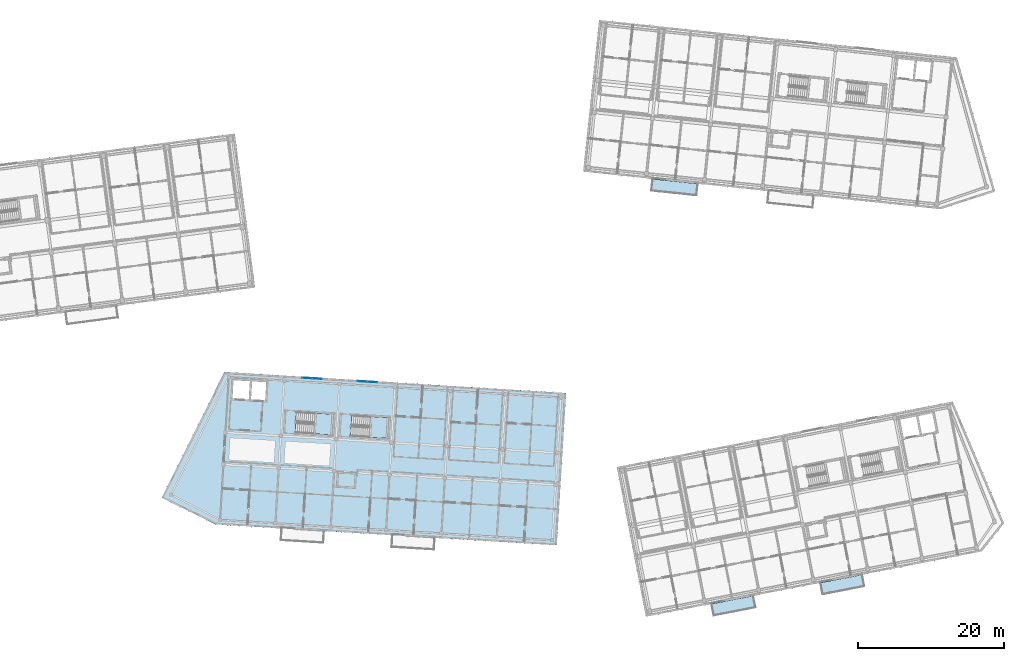
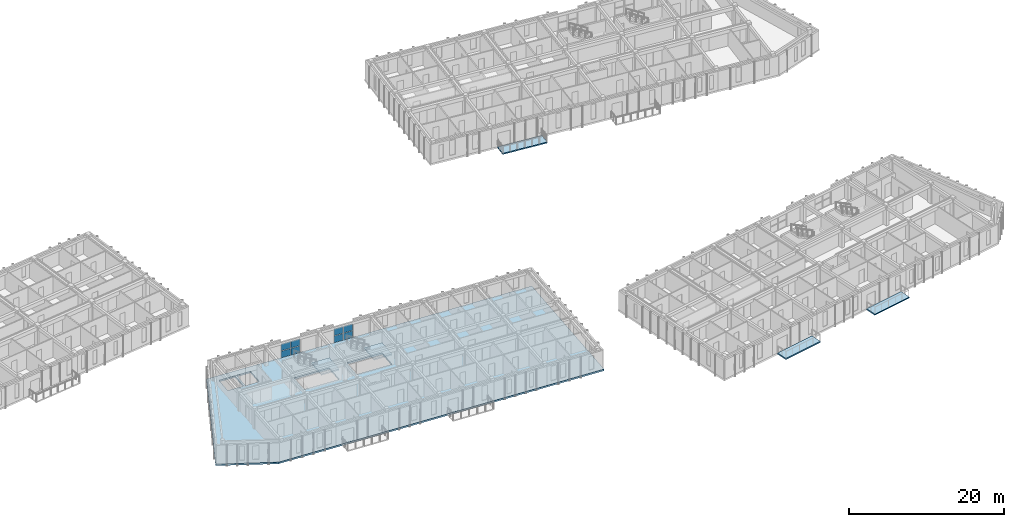
# One storey, part 18 of 68: 8 plates, 6 slabs, 4 elements without a shape of their own.
"""IFC4 building model written with IfcOpenShell, lengths in metres."""

from ifc_helpers import new_model, si_unit, direction, frame, origin, origin_2d, place, context, subcontext, project, spatial, polyline, rectangle, outline, extrude, material, layer, layer_set, type_object, element, aggregate, save


model = new_model("IFC4")

# Units and contexts
model_context = context("Model", 3, precision=1e-05, world=origin(), true_north=direction((0.0, 1.0)))
body_context = subcontext(model_context, "Body", "Model", "MODEL_VIEW")
ifc_project = project(units=[si_unit("LENGTHUNIT", "METRE"), si_unit("AREAUNIT", "SQUARE_METRE"), si_unit("VOLUMEUNIT", "CUBIC_METRE"), si_unit("PLANEANGLEUNIT", "RADIAN"), si_unit("MASSUNIT", "GRAM", prefix="KILO")], contexts=[model_context])

# Site, building, storey
site_placement = place(None, origin())
site = spatial("IfcSite", under=ifc_project, at=site_placement, CompositionType="ELEMENT")
building_placement = place(site_placement, origin())
building = spatial("IfcBuilding", under=site, at=building_placement, Name="Kestramere Prow Commons", CompositionType="ELEMENT")
storey_placement = place(building_placement, frame((0.0, 0.0, 18.14990234375)))
storey = spatial("IfcBuildingStorey", under=building, at=storey_placement, Name="L05", CompositionType="ELEMENT", Elevation=18.14990234375)

# Curtain wall, plates
ifc_material_1 = material(Name="Anodised Aluminium and Low-E Glass", Category="aluminium")
curtain_wall_type = type_object("IfcCurtainWallType", Name="CW-03 Glazed Curtain Wall 2830x2320", PredefinedType="USERDEFINED", material=ifc_material_1)
curtain_wall_1_placement = place(storey_placement, origin())
curtain_wall_1 = element("IfcCurtainWall", 1, at=curtain_wall_1_placement, inside=storey, type_object=curtain_wall_type, Name="Block C L05 Stairwell Vertical Glazing 2", ObjectType="GLAZED CURTAIN WALL", PredefinedType="USERDEFINED")
ifc_material_2 = material(Name="Low-E Laminated Double Glazing", Category="glass")
ifc_layer_1 = layer(ifc_material_2, 0.028076171875)
ifc_layer_set_1 = layer_set([ifc_layer_1], Name="Low-E Laminated Double Glazing")
plate_type = type_object("IfcPlateType", Name="CW-PNL-28", PredefinedType="CURTAIN_PANEL", material=ifc_layer_set_1)
plate_1_placement = place(storey_placement, frame((71.41748046875, 65.93359375, 0.065185546875), z_axis=(0.0, 0.0, 1.0), x_axis=(0.99813480569, -0.061048420708, 0.0)))
plate_1 = element("IfcPlate", 2, at=plate_1_placement, type_object=plate_type, Name="CW-03 panel 1.1", PredefinedType="CURTAIN_PANEL", context=body_context, shape_type="SweptSolid", body=[
    extrude(rectangle(XDim=1.3173828125, YDim=0.028076171875, at=origin_2d()), origin(), (0.0, 0.0, 1.0), 1.0625),
])
plate_2_placement = place(storey_placement, frame((71.41748046875, 65.93359375, 1.192626953125), z_axis=(0.0, 0.0, 1.0), x_axis=(0.99813480569, -0.061048420708, 0.0)))
plate_2 = element("IfcPlate", 3, at=plate_2_placement, type_object=plate_type, Name="CW-03 panel 1.2", PredefinedType="CURTAIN_PANEL", context=body_context, shape_type="SweptSolid", body=[
    extrude(rectangle(XDim=1.3173828125, YDim=0.028076171875, at=origin_2d()), origin(), (0.0, 0.0, 1.0), 1.0625),
])
plate_3_placement = place(storey_placement, frame((72.79736328125, 65.849365234375, 0.065185546875), z_axis=(0.0, 0.0, 1.0), x_axis=(0.99813480569, -0.061048420708, 0.0)))
plate_3 = element("IfcPlate", 4, at=plate_3_placement, type_object=plate_type, Name="CW-03 panel 2.1", PredefinedType="CURTAIN_PANEL", context=body_context, shape_type="SweptSolid", body=[
    extrude(rectangle(XDim=1.3173828125, YDim=0.028076171875, at=origin_2d()), origin(), (0.0, 0.0, 1.0), 1.0625),
])
plate_4_placement = place(storey_placement, frame((72.79736328125, 65.849365234375, 1.192626953125), z_axis=(0.0, 0.0, 1.0), x_axis=(0.99813480569, -0.061048420708, 0.0)))
plate_4 = element("IfcPlate", 5, at=plate_4_placement, type_object=plate_type, Name="CW-03 panel 2.2", PredefinedType="CURTAIN_PANEL", context=body_context, shape_type="SweptSolid", body=[
    extrude(rectangle(XDim=1.3173828125, YDim=0.028076171875, at=origin_2d()), origin(), (0.0, 0.0, 1.0), 1.0625),
])
aggregate(curtain_wall_1, [plate_1, plate_2, plate_3, plate_4])

curtain_wall_2_placement = place(storey_placement, origin())
curtain_wall_2 = element("IfcCurtainWall", 6, at=curtain_wall_2_placement, inside=storey, type_object=curtain_wall_type, Name="Block C L05 Stairwell Vertical Glazing 3", ObjectType="GLAZED CURTAIN WALL", PredefinedType="USERDEFINED")
plate_5_placement = place(storey_placement, frame((79.003173828125, 65.4697265625, 0.065185546875), z_axis=(0.0, 0.0, 1.0), x_axis=(0.998134807007, -0.061048399176, 0.0)))
plate_5 = element("IfcPlate", 7, at=plate_5_placement, type_object=plate_type, Name="CW-03 panel 1.1", PredefinedType="CURTAIN_PANEL", context=body_context, shape_type="SweptSolid", body=[
    extrude(rectangle(XDim=1.3173828125, YDim=0.028076171875, at=origin_2d()), origin(), (0.0, 0.0, 1.0), 1.0625),
])
plate_6_placement = place(storey_placement, frame((79.003173828125, 65.4697265625, 1.192626953125), z_axis=(0.0, 0.0, 1.0), x_axis=(0.998134807007, -0.061048399176, 0.0)))
plate_6 = element("IfcPlate", 8, at=plate_6_placement, type_object=plate_type, Name="CW-03 panel 1.2", PredefinedType="CURTAIN_PANEL", context=body_context, shape_type="SweptSolid", body=[
    extrude(rectangle(XDim=1.3173828125, YDim=0.028076171875, at=origin_2d()), origin(), (0.0, 0.0, 1.0), 1.0625),
])
plate_7_placement = place(storey_placement, frame((80.383056640625, 65.38525390625, 0.065185546875), z_axis=(0.0, 0.0, 1.0), x_axis=(0.998134807007, -0.061048399176, 0.0)))
plate_7 = element("IfcPlate", 9, at=plate_7_placement, type_object=plate_type, Name="CW-03 panel 2.1", PredefinedType="CURTAIN_PANEL", context=body_context, shape_type="SweptSolid", body=[
    extrude(rectangle(XDim=1.3173828125, YDim=0.028076171875, at=origin_2d()), origin(), (0.0, 0.0, 1.0), 1.0625),
])
plate_8_placement = place(storey_placement, frame((80.383056640625, 65.38525390625, 1.192626953125), z_axis=(0.0, 0.0, 1.0), x_axis=(0.998134807007, -0.061048399176, 0.0)))
plate_8 = element("IfcPlate", 10, at=plate_8_placement, type_object=plate_type, Name="CW-03 panel 2.2", PredefinedType="CURTAIN_PANEL", context=body_context, shape_type="SweptSolid", body=[
    extrude(rectangle(XDim=1.3173828125, YDim=0.028076171875, at=origin_2d()), origin(), (0.0, 0.0, 1.0), 1.0625),
])
aggregate(curtain_wall_2, [plate_5, plate_6, plate_7, plate_8])

# Slabs
ifc_material_3 = material(Name="Precast concrete C40/50", Category="concrete")
ifc_layer_2 = layer(ifc_material_3, 0.179931640625)
ifc_layer_set_2 = layer_set([ifc_layer_2], Name="Precast concrete C40/50")
slab_type_1 = type_object("IfcSlabType", Name="SL-BALC-180", PredefinedType="FLOOR", material=ifc_layer_set_2)
slab_1_placement = place(storey_placement, frame((0.0, 0.0, -0.179931640625)))
element("IfcSlab", 11, at=slab_1_placement, inside=storey, type_object=slab_type_1, Name="Block B L05 Apartment Balcony Slab 2", PredefinedType="FLOOR", context=body_context, shape_type="SweptSolid", body=[
    extrude(outline(polyline([(118.56103515625, 91.58740234375), (124.82666015625, 90.928955078125), (124.9990234375, 92.570068359375), (118.733642578125, 93.228515625), (118.56103515625, 91.58740234375)])), origin(), (0.0, 0.0, 1.0), 0.179931640625),
])
slab_2_placement = place(storey_placement, frame((0.0, 0.0, -0.179931640625)))
element("IfcSlab", 12, at=slab_2_placement, inside=storey, type_object=slab_type_1, Name="Block D L05 Apartment Balcony Slab 2", PredefinedType="FLOOR", context=body_context, shape_type="SweptSolid", body=[
    extrude(outline(polyline([(127.133544921875, 33.3544921875), (132.92529296875, 34.48046875), (132.6103515625, 36.10009765625), (126.81884765625, 34.974365234375), (127.133544921875, 33.3544921875)])), origin(), (0.0, 0.0, 1.0), 0.179931640625),
])
slab_3_placement = place(storey_placement, frame((0.0, 0.0, -0.179931640625)))
element("IfcSlab", 13, at=slab_3_placement, inside=storey, type_object=slab_type_1, Name="Block D L05 Apartment Balcony Slab 4", PredefinedType="FLOOR", context=body_context, shape_type="SweptSolid", body=[
    extrude(outline(polyline([(142.054443359375, 36.2548828125), (147.845947265625, 37.380615234375), (147.531005859375, 39.000244140625), (141.739501953125, 37.87451171875), (142.054443359375, 36.2548828125)])), origin(), (0.0, 0.0, 1.0), 0.179931640625),
])
ifc_layer_3 = layer(ifc_material_3, 0.25)
ifc_layer_set_3 = layer_set([ifc_layer_3], Name="Precast concrete C40/50")
slab_type_2 = type_object("IfcSlabType", Name="SL-HC-250", PredefinedType="FLOOR", material=ifc_layer_set_3)
slab_4_placement = place(storey_placement, frame((0.0, 0.0, -0.25)))
element("IfcSlab", 14, at=slab_4_placement, inside=storey, type_object=slab_type_2, Name="Block C L05 Hollowcore Floor Slab", PredefinedType="FLOOR", context=body_context, shape_type="SweptSolid", body=[
    extrude(outline(polyline([(51.52392578125, 49.5927734375), (58.8115234375, 45.890869140625), (105.6240234375, 43.02783203125), (106.89990234375, 63.888671875), (60.08740234375, 66.751953125), (51.52392578125, 49.5927734375)]), holes=[polyline([(61.168212890625, 63.129150390625), (63.464111328125, 62.98876953125), (63.61962890625, 65.533935546875), (61.323974609375, 65.67431640625), (61.168212890625, 63.129150390625)]), polyline([(63.713623046875, 62.973388671875), (65.709716796875, 62.851318359375), (65.865478515625, 65.396728515625), (63.869140625, 65.518798828125), (63.713623046875, 62.973388671875)]), polyline([(69.79833984375, 58.443603515625), (74.888916015625, 58.13232421875), (75.062744140625, 60.976806640625), (69.972412109375, 61.288330078125), (69.79833984375, 58.443603515625)]), polyline([(77.38427734375, 57.9794921875), (82.474609375, 57.668212890625), (82.648681640625, 60.512939453125), (77.55810546875, 60.82421875), (77.38427734375, 57.9794921875)])]), origin(), (0.0, 0.0, 1.0), 0.25),
])

# Stair, slab
ifc_material_4 = material(Name="Concrete C40/50", Category="concrete")
stair_type = type_object("IfcStairType", Name="ST-DOG-1350", PredefinedType="HALF_TURN_STAIR", material=ifc_material_4)
stair_1_placement = place(storey_placement, origin())
stair_1 = element("IfcStair", 15, at=stair_1_placement, inside=storey, type_object=stair_type, Name="L05 Block C Exit Stair 1", PredefinedType="HALF_TURN_STAIR")
ifc_layer_4 = layer(ifc_material_4, 0.199951171875)
ifc_layer_set_4 = layer_set([ifc_layer_4], Name="Concrete C40/50")
slab_type_3 = type_object("IfcSlabType", Name="SL-ST-LAND-200", PredefinedType="LANDING", material=ifc_layer_set_4)
slab_5_placement = place(storey_placement, frame((0.0, 0.0, 1.425048828125)))
slab_5 = element("IfcSlab", 16, at=slab_5_placement, type_object=slab_type_3, Name="ST-C1 landing 1", PredefinedType="LANDING", context=body_context, shape_type="SweptSolid", body=[
    extrude(outline(polyline([(72.313720703125, 58.289794921875), (74.888916015625, 58.13232421875), (75.062744140625, 60.976806640625), (72.487548828125, 61.134521484375), (72.313720703125, 58.289794921875)])), origin(), (0.0, 0.0, 1.0), 0.199951171875),
])
aggregate(stair_1, [slab_5])

stair_2_placement = place(storey_placement, origin())
stair_2 = element("IfcStair", 17, at=stair_2_placement, inside=storey, type_object=stair_type, Name="L05 Block C Exit Stair 2", PredefinedType="HALF_TURN_STAIR")
slab_6_placement = place(storey_placement, frame((0.0, 0.0, 1.425048828125)))
slab_6 = element("IfcSlab", 18, at=slab_6_placement, type_object=slab_type_3, Name="ST-C2 landing 1", PredefinedType="LANDING", context=body_context, shape_type="SweptSolid", body=[
    extrude(outline(polyline([(79.8994140625, 57.82568359375), (82.474609375, 57.668212890625), (82.648681640625, 60.512939453125), (80.073486328125, 60.67041015625), (79.8994140625, 57.82568359375)])), origin(), (0.0, 0.0, 1.0), 0.199951171875),
])
aggregate(stair_2, [slab_6])

save(model, "model.ifc")
